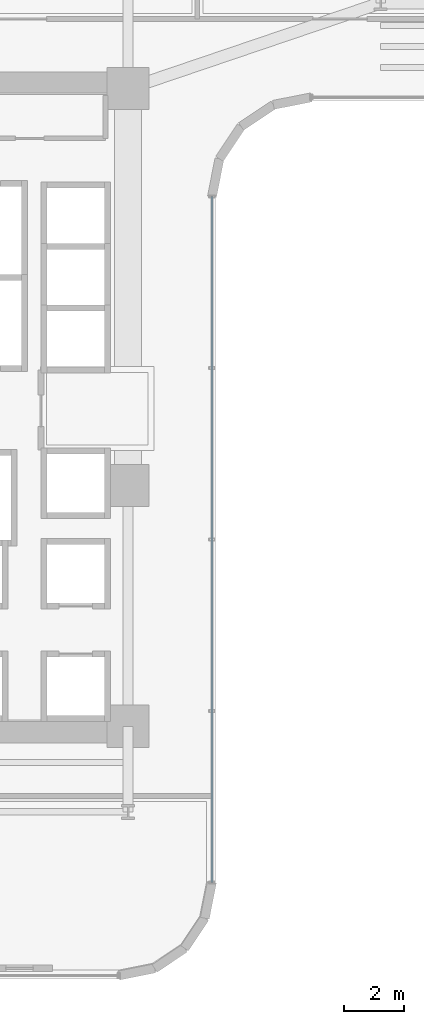
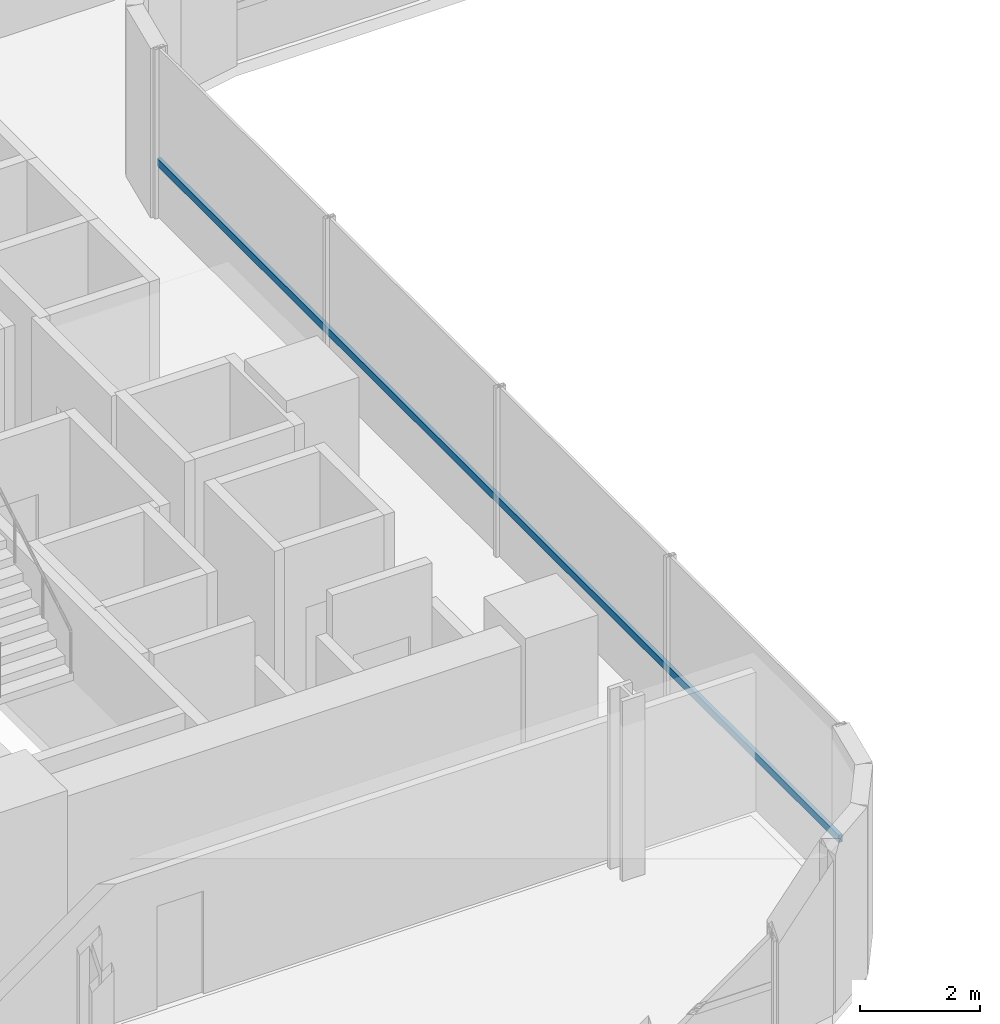
# One storey, part 7 of 40: 1 member, 1 element without a shape of its own.
"""IFC4 building model written with IfcOpenShell, lengths in metres."""

import ifcopenshell
import ifcopenshell.guid

model = None  # the IFC model being written
_history = None  # IfcOwnerHistory: only IFC2X3 demands one
_inside = {}  # id of a spatial element -> (the spatial element, [elements in it])
_under = {}  # id of a project, library or spatial element -> (it, [spatial elements below it])
_declared = {}  # id of a project -> (the project, [libraries it declares])
_typed = {}  # id of a type object -> (the type object, [elements of that type])
_made_of = {}  # id of a material, layer set ... -> (it, [elements and type objects made of it])


def new_model(schema):
    """Start an empty IFC model of exactly this schema.

    Asked for "IFC4X3", IfcOpenShell would pick the latest addendum, in which some entities
    have other attributes; the version numbers below select the first issue.
    IFC2X3 requires an IfcOwnerHistory on every rooted entity: one is made here for all.
    """
    global model, _history
    if schema == "IFC4X3":
        model = ifcopenshell.file(schema_version=(4, 3, 0, 0))
    else:
        model = ifcopenshell.file(schema=schema)
    _inside.clear()
    _under.clear()
    _declared.clear()
    _typed.clear()
    _made_of.clear()
    _history = None
    if model.schema == "IFC2X3":
        org = make("IfcOrganization", Name="unknown")
        user = make(
            "IfcPersonAndOrganization",
            ThePerson=make("IfcPerson", FamilyName="unknown"),
            TheOrganization=org,
        )
        app = make(
            "IfcApplication",
            ApplicationDeveloper=org,
            Version="unknown",
            ApplicationFullName="unknown",
            ApplicationIdentifier="unknown",
        )
        _history = make(
            "IfcOwnerHistory",
            OwningUser=user,
            OwningApplication=app,
            ChangeAction="ADDED",
            CreationDate=0,
        )
    return model


def make(cls, **values):
    """One entity of the class cls with the attributes given. An attribute that is None is left unset."""
    return model.create_entity(
        cls, **{name: value for name, value in values.items() if value is not None}
    )


def rooted(cls, **values):
    """An entity with a GlobalId (a new one), such as an element, a storey or a relation."""
    return make(cls, GlobalId=ifcopenshell.guid.new(), OwnerHistory=_history, **values)


def si_unit(unit_type, name, prefix=None):
    """IfcSIUnit, for example si_unit("LENGTHUNIT", "METRE", prefix="MILLI")."""
    return make("IfcSIUnit", UnitType=unit_type, Prefix=prefix, Name=name)


def assignment(units):
    """IfcUnitAssignment: the units of a project."""
    return None if units is None else make("IfcUnitAssignment", Units=units)


def point(xyz):
    """IfcCartesianPoint."""
    return None if xyz is None else make("IfcCartesianPoint", Coordinates=xyz)


def direction(xyz):
    """IfcDirection."""
    return None if xyz is None else make("IfcDirection", DirectionRatios=xyz)


def frame(location, z_axis=None, x_axis=None):
    """IfcAxis2Placement3D, a coordinate frame: its origin and axes. An axis left out is left unset."""
    return make(
        "IfcAxis2Placement3D",
        Location=point(location),
        Axis=direction(z_axis),
        RefDirection=direction(x_axis),
    )


def frame_2d(location, x_axis=None):
    """IfcAxis2Placement2D, a coordinate frame in the plane: its origin and x axis."""
    return make(
        "IfcAxis2Placement2D", Location=point(location), RefDirection=direction(x_axis)
    )


def origin():
    """The frame at (0, 0, 0) with its axes left unset."""
    return frame((0.0, 0.0, 0.0))


def origin_2d():
    """The frame at (0, 0) in the plane with its x axis left unset."""
    return frame_2d((0.0, 0.0))


def place(relative_to, where):
    """IfcLocalPlacement: puts the frame where relative to a parent placement (None: the world)."""
    return make(
        "IfcLocalPlacement", PlacementRelTo=relative_to, RelativePlacement=where
    )


def context(
    kind, dimensions, precision=None, world=None, true_north=None, identifier=None
):
    """IfcGeometricRepresentationContext, for example the 3D "Model" context."""
    return make(
        "IfcGeometricRepresentationContext",
        ContextIdentifier=identifier,
        ContextType=kind,
        CoordinateSpaceDimension=dimensions,
        Precision=precision,
        WorldCoordinateSystem=world,
        TrueNorth=true_north,
    )


def subcontext(parent, identifier, kind, view, scale=None):
    """IfcGeometricRepresentationSubContext, for example "Body" below "Model"."""
    return make(
        "IfcGeometricRepresentationSubContext",
        ContextIdentifier=identifier,
        ContextType=kind,
        ParentContext=parent,
        TargetScale=scale,
        TargetView=view,
    )


def project(units=None, contexts=None):
    """IfcProject with its units and contexts."""
    return rooted(
        "IfcProject",
        Name="project",
        RepresentationContexts=contexts,
        UnitsInContext=assignment(units),
    )


def spatial(cls, under=None, at=None, **own):
    """A site, building, storey or space (cls), placed at a placement, below another one or the project."""
    s = rooted(cls, ObjectPlacement=at, **own)
    if under is not None:
        _under.setdefault(under.id(), (under, []))[1].append(s)
    return s


def profile(cls, at=None, kind="AREA", **sizes):
    """A parametric profile (cls). Its sizes go by their IFC names, for example OverallWidth=200.0."""
    return make(cls, ProfileType=kind, Position=at, **sizes)


def hollow_rectangle(**sizes):
    """IfcRectangleHollowProfileDef."""
    return profile("IfcRectangleHollowProfileDef", **sizes)


def extrude(swept, where, along, depth):
    """IfcExtrudedAreaSolid: the profile swept, set in the frame where, extruded along a direction by depth."""
    return make(
        "IfcExtrudedAreaSolid",
        SweptArea=swept,
        Position=where,
        ExtrudedDirection=direction(along),
        Depth=depth,
    )


def shape(context_of_items, identifier, shape_type, items):
    """IfcShapeRepresentation: the items that make up one representation, for example the "Body"."""
    return make(
        "IfcShapeRepresentation",
        ContextOfItems=context_of_items,
        RepresentationIdentifier=identifier,
        RepresentationType=shape_type,
        Items=items,
    )


def source(mapping_origin, context_of_items, identifier, shape_type, items):
    """IfcRepresentationMap: a shape defined once, which mapped items show again and again."""
    return make(
        "IfcRepresentationMap",
        MappingOrigin=mapping_origin,
        MappedRepresentation=shape(context_of_items, identifier, shape_type, items),
    )


def transform(
    local_origin,
    x_axis=None,
    y_axis=None,
    z_axis=None,
    scale=None,
    scale2=None,
    scale3=None,
    uniform=True,
):
    """IfcCartesianTransformationOperator3D, or its non-uniform kind. x_axis, y_axis, z_axis: its Axis1, 2, 3."""
    if uniform:
        return make(
            "IfcCartesianTransformationOperator3D",
            Axis1=direction(x_axis),
            Axis2=direction(y_axis),
            LocalOrigin=point(local_origin),
            Scale=scale,
            Axis3=direction(z_axis),
        )
    return make(
        "IfcCartesianTransformationOperator3DnonUniform",
        Axis1=direction(x_axis),
        Axis2=direction(y_axis),
        LocalOrigin=point(local_origin),
        Scale=scale,
        Axis3=direction(z_axis),
        Scale2=scale2,
        Scale3=scale3,
    )


def mapped(mapping_source, mapping_target):
    """IfcMappedItem: shows the shape of a source again, moved by a transform."""
    return make(
        "IfcMappedItem", MappingSource=mapping_source, MappingTarget=mapping_target
    )


def material(Name=None, Category=None):
    """IfcMaterial."""
    return make("IfcMaterial", Name=Name, Category=Category)


def material_profile(
    of_material, cross_section, Name=None, Category=None, Priority=None
):
    """IfcMaterialProfile: a cross section and its material."""
    return make(
        "IfcMaterialProfile",
        Name=Name,
        Material=of_material,
        Profile=cross_section,
        Priority=Priority,
        Category=Category,
    )


def profile_set(profiles, Name=None, composite=None):
    """IfcMaterialProfileSet."""
    return make(
        "IfcMaterialProfileSet",
        Name=Name,
        MaterialProfiles=profiles,
        CompositeProfile=composite,
    )


def made_of(thing, what):
    """Note that an element or type object is made of a material, layer set ...; save() writes the relation."""
    if what is not None:
        _made_of.setdefault(what.id(), (what, []))[1].append(thing)
    return thing


def type_object(cls, material=None, **own):
    """A type object (cls), such as IfcWallType, which elements share."""
    return made_of(rooted(cls, **own), material)


def element(
    cls,
    number,
    at=None,
    inside=None,
    cuts=None,
    type_object=None,
    material=None,
    context=None,
    identifier="Body",
    shape_type=None,
    held_by="IfcProductDefinitionShape",
    body=None,
    shapes=None,
    **own,
):
    """One element of the class cls, such as IfcWall. Its Tag is "e" and its number.

    at: its placement. inside: the storey or other place that contains it. cuts: it is an
    opening in that element (IfcRelVoidsElement). A single representation is given by context,
    identifier, shape_type and body (its items); several are given by shapes. held_by: the class
    of the entity that holds the representations. save() writes the other relations.
    """
    e = rooted(cls, Tag="e%d" % number, ObjectPlacement=at, **own)
    if body is not None:
        shapes = [shape(context, identifier, shape_type, body)]
    if shapes is not None:
        e.Representation = make(held_by, Representations=shapes)
    if inside is not None:
        _inside.setdefault(inside.id(), (inside, []))[1].append(e)
    if cuts is not None:
        rooted(
            "IfcRelVoidsElement", RelatingBuildingElement=cuts, RelatedOpeningElement=e
        )
    if type_object is not None:
        _typed.setdefault(type_object.id(), (type_object, []))[1].append(e)
    return made_of(e, material)


def aggregate(whole, parts):
    """IfcRelAggregates: a whole, such as a stair, and the parts it consists of."""
    return rooted("IfcRelAggregates", RelatingObject=whole, RelatedObjects=parts)


def save(model, path):
    """Write the relations noted so far, then the file.

    IfcRelAggregates (storeys below a building ...), IfcRelContainedInSpatialStructure (elements
    in a storey), IfcRelDefinesByType, IfcRelAssociatesMaterial and IfcRelDeclares: one each for
    every whole, place, type object, material and project.
    """
    for whole, parts in _under.values():
        aggregate(whole, parts)
    for where, things in _inside.values():
        rooted(
            "IfcRelContainedInSpatialStructure",
            RelatedElements=things,
            RelatingStructure=where,
        )
    for kind, things in _typed.values():
        rooted("IfcRelDefinesByType", RelatedObjects=things, RelatingType=kind)
    for what, things in _made_of.values():
        rooted("IfcRelAssociatesMaterial", RelatedObjects=things, RelatingMaterial=what)
    for by, libraries in _declared.values():
        rooted("IfcRelDeclares", RelatingContext=by, RelatedDefinitions=libraries)
    model.write(path)


model = new_model("IFC4")

# Units and contexts
model_context = context("Model", 3, precision=1e-05, world=origin(), true_north=direction((0.0, 1.0)))
body_context = subcontext(model_context, "Body", "Model", "MODEL_VIEW")
ifc_project = project(units=[si_unit("LENGTHUNIT", "METRE"), si_unit("AREAUNIT", "SQUARE_METRE"), si_unit("VOLUMEUNIT", "CUBIC_METRE"), si_unit("PLANEANGLEUNIT", "RADIAN"), si_unit("MASSUNIT", "GRAM", prefix="KILO")], contexts=[model_context])

# Site, building, storey
site_placement = place(None, origin())
site = spatial("IfcSite", under=ifc_project, at=site_placement, CompositionType="ELEMENT")
building_placement = place(site_placement, origin())
building = spatial("IfcBuilding", under=site, at=building_placement, Name="Valdorenza Pilgrim Sanctuary Tower", CompositionType="ELEMENT")
storey_placement = place(building_placement, frame((0.0, 0.0, 51.89990234375)))
storey = spatial("IfcBuildingStorey", under=building, at=storey_placement, Name="L12", CompositionType="ELEMENT", Elevation=51.89990234375)

# Curtain wall, member
ifc_material_1 = material(Name="Curtain-wall IGU glazing", Category="glass")
curtain_wall_type = type_object("IfcCurtainWallType", Name="CW-SYS-02", PredefinedType="NOTDEFINED", material=ifc_material_1)
curtain_wall_placement = place(storey_placement, origin())
curtain_wall = element("IfcCurtainWall", 1, at=curtain_wall_placement, inside=storey, type_object=curtain_wall_type, Name="L12 Curtain Wall CW-L12-1-41", PredefinedType="NOTDEFINED")
ifc_material_2 = material(Name="Anodised aluminium AW-6060", Category="aluminium")
ifc_material_profile = material_profile(ifc_material_2, hollow_rectangle(XDim=0.074951171875, YDim=0.14990234375, WallThickness=0.00390625, at=origin_2d()), Name="ALU-T 150x75x4")
ifc_profile_set = profile_set([ifc_material_profile], Name="Anodised aluminium AW-6060")
member_type = type_object("IfcMemberType", Name="CW-TRN-02", PredefinedType="USERDEFINED", material=ifc_profile_set)
shared_shape = source(origin(), body_context, "Body", "SweptSolid", [
    extrude(hollow_rectangle(XDim=0.074951171875, YDim=0.14990234375, WallThickness=0.00390625, at=origin_2d()), origin(), (0.0, 0.0, 1.0), 22.800048828125),
])
member_placement = place(storey_placement, frame((-9.610107421875, 7.0107421875, 1.1201171875), z_axis=(0.0, -1.0, 0.0), x_axis=(1.0, 0.0, 0.0)))
member = element("IfcMember", 2, at=member_placement, type_object=member_type, Name="CW-L12-1-41 Transom 1", ObjectType="TRANSOM", PredefinedType="USERDEFINED", context=body_context, shape_type="MappedRepresentation", body=[
    mapped(shared_shape, transform((0.0, 0.0, 0.0), x_axis=(1.0, 0.0, 0.0), y_axis=(0.0, 1.0, 0.0), z_axis=(0.0, 0.0, 1.0), scale=1.0)),
])
aggregate(curtain_wall, [member])

save(model, "model.ifc")
